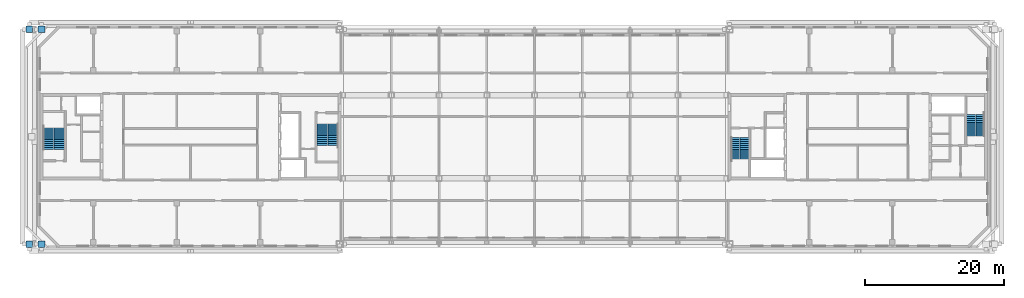
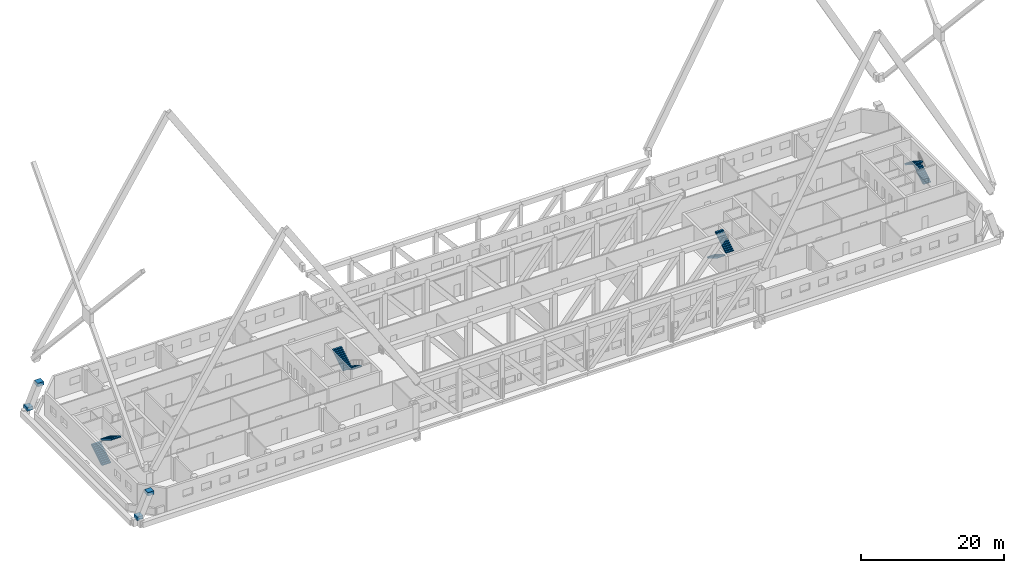
# One storey, part 14 of 17: 8 stair flights, 4 discrete accessories, 4 elements without a shape of their own.
"""IFC4 building model written with IfcOpenShell, lengths in metres."""

from ifc_helpers import new_model, si_unit, direction, frame, origin, origin_2d, place, context, subcontext, project, spatial, polyline, rectangle, outline, extrude, material, type_object, element, aggregate, save


model = new_model("IFC4")

# Units and contexts
model_context = context("Model", 3, precision=1e-05, world=origin(), true_north=direction((0.0, 1.0)))
body_context = subcontext(model_context, "Body", "Model", "MODEL_VIEW")
ifc_project = project(units=[si_unit("LENGTHUNIT", "METRE"), si_unit("AREAUNIT", "SQUARE_METRE"), si_unit("VOLUMEUNIT", "CUBIC_METRE"), si_unit("PLANEANGLEUNIT", "RADIAN"), si_unit("MASSUNIT", "GRAM", prefix="KILO")], contexts=[model_context])

# Site, building, storey
site_placement = place(None, origin())
site = spatial("IfcSite", under=ifc_project, at=site_placement, CompositionType="ELEMENT")
building_placement = place(site_placement, origin())
building = spatial("IfcBuilding", under=site, at=building_placement, Name="Tuart Gate Housing", CompositionType="ELEMENT")
storey_placement = place(building_placement, frame((0.0, 0.0, 194.39990234375)))
storey = spatial("IfcBuildingStorey", under=building, at=storey_placement, Name="L55", CompositionType="ELEMENT", Elevation=194.39990234375)

# Stair, stair flights
ifc_material_1 = material(Name="Concrete C40", Category="concrete")
stair_type_1 = type_object("IfcStairType", Name="Core stair 1250", PredefinedType="HALF_TURN_STAIR", material=ifc_material_1)
stair_1_placement = place(storey_placement, origin())
stair_1 = element("IfcStair", 1, at=stair_1_placement, inside=storey, type_object=stair_type_1, Name="Stair SB1", PredefinedType="HALF_TURN_STAIR")
ifc_material_2 = material(Name="Concrete C40", Category="concrete")
stair_flight_type_1 = type_object("IfcStairFlightType", Name="Stair flight 1250, 12 risers 175 x 280", PredefinedType="STRAIGHT", material=ifc_material_2)
stair_flight_1_placement = place(storey_placement, frame((132.385009765625, 69.875, 0.0), z_axis=(0.0, 0.0, 1.0), x_axis=(0.0, -1.0, 0.0)))
stair_flight_1 = element("IfcStairFlight", 2, at=stair_flight_1_placement, type_object=stair_flight_type_1, Name="SB1 flight 1", NumberOfRisers=12, NumberOfTreads=11, PredefinedType="STRAIGHT", RiserHeight=0.175, TreadLength=0.28, context=body_context, shape_type="SweptSolid", body=[
    extrude(outline(polyline([(0.0, 0.0), (0.0, 0.175048828125), (0.280029296875, 0.175048828125), (0.280029296875, 0.35009765625), (0.56005859375, 0.35009765625), (0.56005859375, 0.52490234375), (0.840087890625, 0.52490234375), (0.840087890625, 0.699951171875), (1.1201171875, 0.699951171875), (1.1201171875, 0.875), (1.39990234375, 0.875), (1.39990234375, 1.050048828125), (1.679931640625, 1.050048828125), (1.679931640625, 1.22509765625), (1.9599609375, 1.22509765625), (1.9599609375, 1.39990234375), (2.239990234375, 1.39990234375), (2.239990234375, 1.574951171875), (2.52001953125, 1.574951171875), (2.52001953125, 1.75), (2.800048828125, 1.75), (2.800048828125, 1.925048828125), (3.080078125, 1.925048828125), (3.080078125, 2.10009765625), (3.080078125, 1.748291015625), (0.28271484375, 0.0), (0.0, 0.0)])), frame((0.0, 0.625, 0.0), z_axis=(0.0, -1.0, 0.0), x_axis=(1.0, 0.0, 0.0)), (0.0, 0.0, 1.0), 1.25),
])
stair_flight_2_placement = place(storey_placement, frame((133.7099609375, 66.794921875, 2.10009765625), z_axis=(0.0, 0.0, 1.0), x_axis=(0.0, 1.0, 0.0)))
stair_flight_2 = element("IfcStairFlight", 3, at=stair_flight_2_placement, type_object=stair_flight_type_1, Name="SB1 flight 2", NumberOfRisers=12, NumberOfTreads=11, PredefinedType="STRAIGHT", RiserHeight=0.175, TreadLength=0.28, context=body_context, shape_type="SweptSolid", body=[
    extrude(outline(polyline([(0.0, 0.0), (0.0, 0.175048828125), (0.280029296875, 0.175048828125), (0.280029296875, 0.35009765625), (0.56005859375, 0.35009765625), (0.56005859375, 0.52490234375), (0.840087890625, 0.52490234375), (0.840087890625, 0.699951171875), (1.1201171875, 0.699951171875), (1.1201171875, 0.875), (1.39990234375, 0.875), (1.39990234375, 1.050048828125), (1.679931640625, 1.050048828125), (1.679931640625, 1.22509765625), (1.9599609375, 1.22509765625), (1.9599609375, 1.39990234375), (2.239990234375, 1.39990234375), (2.239990234375, 1.574951171875), (2.52001953125, 1.574951171875), (2.52001953125, 1.75), (2.800048828125, 1.75), (2.800048828125, 1.925048828125), (3.080078125, 1.925048828125), (3.080078125, 2.10009765625), (3.080078125, 1.748291015625), (0.28271484375, 0.0), (0.0, 0.0)])), frame((0.0, 0.625, 0.0), z_axis=(0.0, -1.0, 0.0), x_axis=(1.0, 0.0, 0.0)), (0.0, 0.0, 1.0), 1.25),
])
aggregate(stair_1, [stair_flight_1, stair_flight_2])

stair_2_placement = place(storey_placement, origin())
stair_2 = element("IfcStair", 4, at=stair_2_placement, inside=storey, type_object=stair_type_1, Name="Stair SB2", PredefinedType="HALF_TURN_STAIR")
stair_flight_3_placement = place(storey_placement, frame((167.614990234375, 70.125, 0.0), z_axis=(0.0, 0.0, 1.0), x_axis=(0.0, 1.0, 0.0)))
stair_flight_3 = element("IfcStairFlight", 5, at=stair_flight_3_placement, type_object=stair_flight_type_1, Name="SB2 flight 1", NumberOfRisers=12, NumberOfTreads=11, PredefinedType="STRAIGHT", RiserHeight=0.175, TreadLength=0.28, context=body_context, shape_type="SweptSolid", body=[
    extrude(outline(polyline([(0.0, 0.0), (0.0, 0.175048828125), (0.280029296875, 0.175048828125), (0.280029296875, 0.35009765625), (0.56005859375, 0.35009765625), (0.56005859375, 0.52490234375), (0.840087890625, 0.52490234375), (0.840087890625, 0.699951171875), (1.1201171875, 0.699951171875), (1.1201171875, 0.875), (1.39990234375, 0.875), (1.39990234375, 1.050048828125), (1.679931640625, 1.050048828125), (1.679931640625, 1.22509765625), (1.9599609375, 1.22509765625), (1.9599609375, 1.39990234375), (2.239990234375, 1.39990234375), (2.239990234375, 1.574951171875), (2.52001953125, 1.574951171875), (2.52001953125, 1.75), (2.800048828125, 1.75), (2.800048828125, 1.925048828125), (3.080078125, 1.925048828125), (3.080078125, 2.10009765625), (3.080078125, 1.748291015625), (0.28271484375, 0.0), (0.0, 0.0)])), frame((0.0, 0.625, 0.0), z_axis=(0.0, -1.0, 0.0), x_axis=(1.0, 0.0, 0.0)), (0.0, 0.0, 1.0), 1.25),
])
stair_flight_4_placement = place(storey_placement, frame((166.2900390625, 73.205078125, 2.10009765625), z_axis=(0.0, 0.0, 1.0), x_axis=(0.0, -1.0, 0.0)))
stair_flight_4 = element("IfcStairFlight", 6, at=stair_flight_4_placement, type_object=stair_flight_type_1, Name="SB2 flight 2", NumberOfRisers=12, NumberOfTreads=11, PredefinedType="STRAIGHT", RiserHeight=0.175, TreadLength=0.28, context=body_context, shape_type="SweptSolid", body=[
    extrude(outline(polyline([(0.0, 0.0), (0.0, 0.175048828125), (0.280029296875, 0.175048828125), (0.280029296875, 0.35009765625), (0.56005859375, 0.35009765625), (0.56005859375, 0.52490234375), (0.840087890625, 0.52490234375), (0.840087890625, 0.699951171875), (1.1201171875, 0.699951171875), (1.1201171875, 0.875), (1.39990234375, 0.875), (1.39990234375, 1.050048828125), (1.679931640625, 1.050048828125), (1.679931640625, 1.22509765625), (1.9599609375, 1.22509765625), (1.9599609375, 1.39990234375), (2.239990234375, 1.39990234375), (2.239990234375, 1.574951171875), (2.52001953125, 1.574951171875), (2.52001953125, 1.75), (2.800048828125, 1.75), (2.800048828125, 1.925048828125), (3.080078125, 1.925048828125), (3.080078125, 2.10009765625), (3.080078125, 1.748291015625), (0.28271484375, 0.0), (0.0, 0.0)])), frame((0.0, 0.625, 0.0), z_axis=(0.0, -1.0, 0.0), x_axis=(1.0, 0.0, 0.0)), (0.0, 0.0, 1.0), 1.25),
])
aggregate(stair_2, [stair_flight_3, stair_flight_4])

ifc_material_3 = material(Name="Concrete C40", Category="concrete")
stair_type_2 = type_object("IfcStairType", Name="Core stair 1500", PredefinedType="HALF_TURN_STAIR", material=ifc_material_3)
stair_3_placement = place(storey_placement, origin())
stair_3 = element("IfcStair", 7, at=stair_3_placement, inside=storey, type_object=stair_type_2, Name="Stair SA1", PredefinedType="HALF_TURN_STAIR")
ifc_material_4 = material(Name="Concrete C40", Category="concrete")
stair_flight_type_2 = type_object("IfcStairFlightType", Name="Stair flight 1500, 12 risers 175 x 280", PredefinedType="STRAIGHT", material=ifc_material_4)
stair_flight_5_placement = place(storey_placement, frame((74.489990234375, 71.824951171875, 0.0), z_axis=(0.0, 0.0, 1.0), x_axis=(0.0, -1.0, 0.0)))
stair_flight_5 = element("IfcStairFlight", 8, at=stair_flight_5_placement, type_object=stair_flight_type_2, Name="SA1 flight 1", NumberOfRisers=12, NumberOfTreads=11, PredefinedType="STRAIGHT", RiserHeight=0.175, TreadLength=0.28, context=body_context, shape_type="SweptSolid", body=[
    extrude(outline(polyline([(0.0, 0.0), (0.0, 0.175048828125), (0.280029296875, 0.175048828125), (0.280029296875, 0.35009765625), (0.56005859375, 0.35009765625), (0.56005859375, 0.52490234375), (0.840087890625, 0.52490234375), (0.840087890625, 0.699951171875), (1.1201171875, 0.699951171875), (1.1201171875, 0.875), (1.39990234375, 0.875), (1.39990234375, 1.050048828125), (1.679931640625, 1.050048828125), (1.679931640625, 1.22509765625), (1.9599609375, 1.22509765625), (1.9599609375, 1.39990234375), (2.239990234375, 1.39990234375), (2.239990234375, 1.574951171875), (2.52001953125, 1.574951171875), (2.52001953125, 1.75), (2.800048828125, 1.75), (2.800048828125, 1.925048828125), (3.080078125, 1.925048828125), (3.080078125, 2.10009765625), (3.080078125, 1.748291015625), (0.28271484375, 0.0), (0.0, 0.0)])), frame((0.0, 0.75, 0.0), z_axis=(0.0, -1.0, 0.0), x_axis=(1.0, 0.0, 0.0)), (0.0, 0.0, 1.0), 1.5),
])
stair_flight_6_placement = place(storey_placement, frame((72.9150390625, 68.7451171875, 2.10009765625), z_axis=(0.0, 0.0, 1.0), x_axis=(0.0, 1.0, 0.0)))
stair_flight_6 = element("IfcStairFlight", 9, at=stair_flight_6_placement, type_object=stair_flight_type_2, Name="SA1 flight 2", NumberOfRisers=12, NumberOfTreads=11, PredefinedType="STRAIGHT", RiserHeight=0.175, TreadLength=0.28, context=body_context, shape_type="SweptSolid", body=[
    extrude(outline(polyline([(0.0, 0.0), (0.0, 0.175048828125), (0.280029296875, 0.175048828125), (0.280029296875, 0.35009765625), (0.56005859375, 0.35009765625), (0.56005859375, 0.52490234375), (0.840087890625, 0.52490234375), (0.840087890625, 0.699951171875), (1.1201171875, 0.699951171875), (1.1201171875, 0.875), (1.39990234375, 0.875), (1.39990234375, 1.050048828125), (1.679931640625, 1.050048828125), (1.679931640625, 1.22509765625), (1.9599609375, 1.22509765625), (1.9599609375, 1.39990234375), (2.239990234375, 1.39990234375), (2.239990234375, 1.574951171875), (2.52001953125, 1.574951171875), (2.52001953125, 1.75), (2.800048828125, 1.75), (2.800048828125, 1.925048828125), (3.080078125, 1.925048828125), (3.080078125, 2.10009765625), (3.080078125, 1.748291015625), (0.28271484375, 0.0), (0.0, 0.0)])), frame((0.0, 0.75, 0.0), z_axis=(0.0, -1.0, 0.0), x_axis=(1.0, 0.0, 0.0)), (0.0, 0.0, 1.0), 1.5),
])
aggregate(stair_3, [stair_flight_5, stair_flight_6])

stair_4_placement = place(storey_placement, origin())
stair_4 = element("IfcStair", 10, at=stair_4_placement, inside=storey, type_object=stair_type_2, Name="Stair SA2", PredefinedType="HALF_TURN_STAIR")
stair_flight_7_placement = place(storey_placement, frame((33.510009765625, 68.175048828125, 0.0), z_axis=(0.0, 0.0, 1.0), x_axis=(0.0, 1.0, 0.0)))
stair_flight_7 = element("IfcStairFlight", 11, at=stair_flight_7_placement, type_object=stair_flight_type_2, Name="SA2 flight 1", NumberOfRisers=12, NumberOfTreads=11, PredefinedType="STRAIGHT", RiserHeight=0.175, TreadLength=0.28, context=body_context, shape_type="SweptSolid", body=[
    extrude(outline(polyline([(0.0, 0.0), (0.0, 0.175048828125), (0.280029296875, 0.175048828125), (0.280029296875, 0.35009765625), (0.56005859375, 0.35009765625), (0.56005859375, 0.52490234375), (0.840087890625, 0.52490234375), (0.840087890625, 0.699951171875), (1.1201171875, 0.699951171875), (1.1201171875, 0.875), (1.39990234375, 0.875), (1.39990234375, 1.050048828125), (1.679931640625, 1.050048828125), (1.679931640625, 1.22509765625), (1.9599609375, 1.22509765625), (1.9599609375, 1.39990234375), (2.239990234375, 1.39990234375), (2.239990234375, 1.574951171875), (2.52001953125, 1.574951171875), (2.52001953125, 1.75), (2.800048828125, 1.75), (2.800048828125, 1.925048828125), (3.080078125, 1.925048828125), (3.080078125, 2.10009765625), (3.080078125, 1.748291015625), (0.28271484375, 0.0), (0.0, 0.0)])), frame((0.0, 0.75, 0.0), z_axis=(0.0, -1.0, 0.0), x_axis=(1.0, 0.0, 0.0)), (0.0, 0.0, 1.0), 1.5),
])
stair_flight_8_placement = place(storey_placement, frame((35.0849609375, 71.2548828125, 2.10009765625), z_axis=(0.0, 0.0, 1.0), x_axis=(0.0, -1.0, 0.0)))
stair_flight_8 = element("IfcStairFlight", 12, at=stair_flight_8_placement, type_object=stair_flight_type_2, Name="SA2 flight 2", NumberOfRisers=12, NumberOfTreads=11, PredefinedType="STRAIGHT", RiserHeight=0.175, TreadLength=0.28, context=body_context, shape_type="SweptSolid", body=[
    extrude(outline(polyline([(0.0, 0.0), (0.0, 0.175048828125), (0.280029296875, 0.175048828125), (0.280029296875, 0.35009765625), (0.56005859375, 0.35009765625), (0.56005859375, 0.52490234375), (0.840087890625, 0.52490234375), (0.840087890625, 0.699951171875), (1.1201171875, 0.699951171875), (1.1201171875, 0.875), (1.39990234375, 0.875), (1.39990234375, 1.050048828125), (1.679931640625, 1.050048828125), (1.679931640625, 1.22509765625), (1.9599609375, 1.22509765625), (1.9599609375, 1.39990234375), (2.239990234375, 1.39990234375), (2.239990234375, 1.574951171875), (2.52001953125, 1.574951171875), (2.52001953125, 1.75), (2.800048828125, 1.75), (2.800048828125, 1.925048828125), (3.080078125, 1.925048828125), (3.080078125, 2.10009765625), (3.080078125, 1.748291015625), (0.28271484375, 0.0), (0.0, 0.0)])), frame((0.0, 0.75, 0.0), z_axis=(0.0, -1.0, 0.0), x_axis=(1.0, 0.0, 0.0)), (0.0, 0.0, 1.0), 1.5),
])
aggregate(stair_4, [stair_flight_7, stair_flight_8])

# Discrete accessories
for number, where, z_axis, x_axis, name in (
    (13, (30.800048828125, 54.550048828125, 0.0), (0.0, 0.0, 1.0), (1.0, 0.0, 0.0), "Mega column node A south-west foot L55"),
    (14, (32.550048828125, 54.550048828125, 3.60009765625), (0.0, 0.0, 1.0), (1.0, 0.0, 0.0), "Mega column node A south-west head L55"),
    (15, (30.800048828125, 85.449951171875, 0.0), (0.0, 0.0, 1.0), (1.0, 0.0, 0.0), "Mega column node A north-west foot L55"),
    (16, (32.550048828125, 85.449951171875, 3.60009765625), (0.0, 0.0, 1.0), (1.0, 0.0, 0.0), "Mega column node A north-west head L55"),
):
    element("IfcDiscreteAccessory", number, at=place(storey_placement, frame(where, z_axis=z_axis, x_axis=x_axis)), inside=storey, Name=name, ObjectType="Mega column node", PredefinedType="USERDEFINED", context=body_context, shape_type="SweptSolid", body=[
        extrude(rectangle(XDim=0.9599609375, YDim=0.9599609375, at=origin_2d()), origin(), (0.0, 0.0, 1.0), 0.60009765625),
    ])

save(model, "model.ifc")
